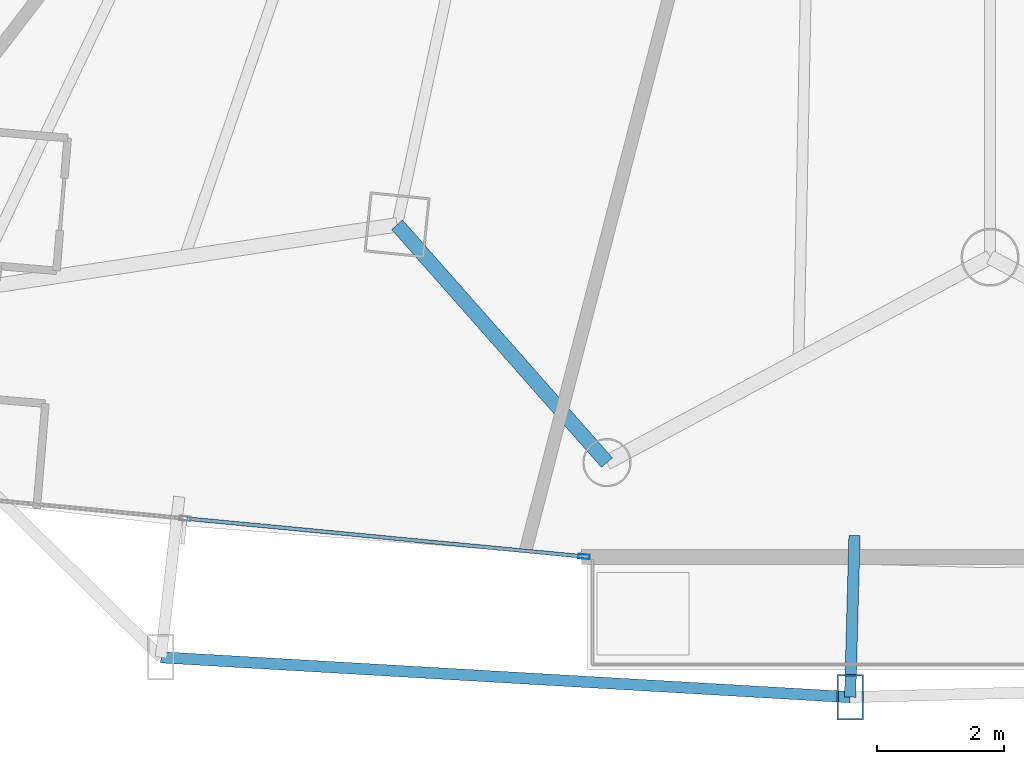
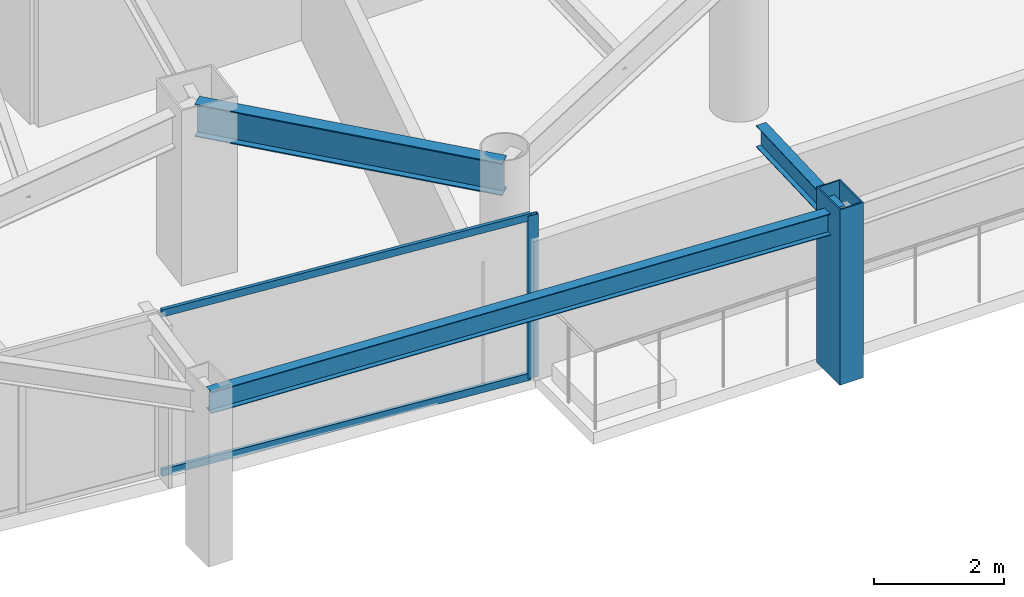
# One storey, part 6 of 34: 4 members, 3 beams, 1 element without a shape of its own.
"""IFC4 building model written with IfcOpenShell, lengths in metres."""

from ifc_helpers import new_model, si_unit, direction, frame, origin, origin_2d, place, context, subcontext, project, spatial, hollow_rectangle, i_section, extrude, material, layer, layer_set, material_profile, profile_set, type_object, element, aggregate, save


model = new_model("IFC4")

# Units and contexts
model_context = context("Model", 3, precision=1e-05, world=origin(), true_north=direction((0.0, 1.0)))
body_context = subcontext(model_context, "Body", "Model", "MODEL_VIEW")
ifc_project = project(units=[si_unit("LENGTHUNIT", "METRE"), si_unit("AREAUNIT", "SQUARE_METRE"), si_unit("VOLUMEUNIT", "CUBIC_METRE"), si_unit("PLANEANGLEUNIT", "RADIAN"), si_unit("MASSUNIT", "GRAM", prefix="KILO")], contexts=[model_context])

# Site, building, storey
site_placement = place(None, origin())
site = spatial("IfcSite", under=ifc_project, at=site_placement, CompositionType="ELEMENT")
building_placement = place(site_placement, origin())
building = spatial("IfcBuilding", under=site, at=building_placement, Name="Orvanel Arch Residences", CompositionType="ELEMENT")
storey_placement = place(building_placement, frame((0.0, 0.0, 77.449951171875)))
storey = spatial("IfcBuildingStorey", under=building, at=storey_placement, Name="L21", CompositionType="ELEMENT", Elevation=77.449951171875)

# Member
ifc_material_1 = material(Name="Structural steel AS/NZS 3678 Grade 350", Category="steel")
ifc_material_profile_1 = material_profile(ifc_material_1, hollow_rectangle(XDim=0.419921875, YDim=0.719970703125, WallThickness=0.02490234375, at=origin_2d()), Name="RHS720x420x25")
ifc_profile_set_1 = profile_set([ifc_material_profile_1], Name="Structural steel AS/NZS 3678 Grade 350")
member_type_1 = type_object("IfcMemberType", Name="CH-720RHS-EXT", PredefinedType="CHORD", material=ifc_profile_set_1)
member_1_placement = place(storey_placement, frame((30.79296875, -0.093994140625, 0.0), z_axis=(0.0, 0.0, 1.0), x_axis=(1.0, 0.0, 0.0)))
element("IfcMember", 1, at=member_1_placement, inside=storey, type_object=member_type_1, Name="L21 Outer Perimeter Frame Post 06", PredefinedType="CHORD", context=body_context, shape_type="SweptSolid", body=[
    extrude(hollow_rectangle(XDim=0.419921875, YDim=0.719970703125, WallThickness=0.02490234375, at=origin_2d()), origin(), (0.0, 0.0, 1.0), 3.300048828125),
])

# Curtain wall, member
ifc_material_2 = material(Name="Bronze-anodised aluminium AA6063-T6", Category="aluminium")
ifc_layer = layer(ifc_material_2, 0.179931640625)
ifc_layer_set = layer_set([ifc_layer], Name="Bronze-anodised aluminium AA6063-T6")
curtain_wall_type = type_object("IfcCurtainWallType", Name="CW2-LOW-SYS", PredefinedType="NOTDEFINED", material=ifc_layer_set)
curtain_wall_placement = place(storey_placement, origin())
curtain_wall = element("IfcCurtainWall", 2, at=curtain_wall_placement, inside=storey, type_object=curtain_wall_type, Name="L21 CW2-LOW-SYS Unitised Curtain Wall", PredefinedType="NOTDEFINED")
ifc_material_profile_2 = material_profile(ifc_material_2, hollow_rectangle(XDim=0.070068359375, YDim=0.179931640625, WallThickness=0.00439453125, at=origin_2d()), Name="ALU180x70x4.5")
ifc_profile_set_2 = profile_set([ifc_material_profile_2], Name="Bronze-anodised aluminium AA6063-T6")
member_type_2 = type_object("IfcMemberType", Name="MUL-180x70", PredefinedType="MULLION", material=ifc_profile_set_2)
member_2_placement = place(storey_placement, frame((26.59716796875, 2.123291015625, 0.0), z_axis=(0.0, 0.0, 1.0), x_axis=(0.095024396079, 0.995474944009, 0.0)))
member_2 = element("IfcMember", 3, at=member_2_placement, type_object=member_type_2, Name="CW-S2 mullion 3", PredefinedType="MULLION", context=body_context, shape_type="SweptSolid", body=[
    extrude(hollow_rectangle(XDim=0.070068359375, YDim=0.179931640625, WallThickness=0.00439453125, at=origin_2d()), origin(), (0.0, 0.0, 1.0), 3.06005859375),
])

# Beams
ifc_material_3 = material(Name="Structural steel AS/NZS 3679.1 Grade 300 (300 MPa)", Category="steel")
ifc_material_profile_3 = material_profile(ifc_material_3, i_section(OverallWidth=0.177978515625, OverallDepth=0.406005859375, WebThickness=0.0078125, FlangeThickness=0.0126953125, at=origin_2d()), Name="410UB59.7")
ifc_profile_set_3 = profile_set([ifc_material_profile_3], Name="Structural steel AS/NZS 3679.1 Grade 300 (300 MPa)")
beam_type_1 = type_object("IfcBeamType", Name="OB-410UB-EXT", PredefinedType="SPANDREL", material=ifc_profile_set_3)
beam_1_placement = place(storey_placement, frame((19.924072265625, 0.533935546875, 2.85693359375), z_axis=(0.998335301365, -0.057676910872, 0.0), x_axis=(0.057676910872, 0.998335301365, 0.0)))
element("IfcBeam", 4, at=beam_1_placement, inside=storey, type_object=beam_type_1, Name="L21 Outer Perimeter Floor Ring Beam 05", PredefinedType="SPANDREL", context=body_context, shape_type="SweptSolid", body=[
    extrude(i_section(OverallWidth=0.177978515625, OverallDepth=0.406005859375, WebThickness=0.0078125, FlangeThickness=0.0126953125, at=origin_2d()), origin(), (0.0, 0.0, 1.0), 10.886962890625),
])
beam_2_placement = place(storey_placement, frame((30.862060546875, 2.455078125, 2.85693359375), z_axis=(-0.027094732526, -0.999632870343, 0.0), x_axis=(0.999632870343, -0.027094732526, 0.0)))
element("IfcBeam", 5, at=beam_2_placement, inside=storey, type_object=beam_type_1, Name="L21 Outer Frame Radial Tie Beam 06", PredefinedType="SPANDREL", context=body_context, shape_type="SweptSolid", body=[
    extrude(i_section(OverallWidth=0.177978515625, OverallDepth=0.406005859375, WebThickness=0.0078125, FlangeThickness=0.0126953125, at=origin_2d()), origin(), (0.0, 0.0, 1.0), 2.550048828125),
])
ifc_material_profile_4 = material_profile(ifc_material_3, i_section(OverallWidth=0.22900390625, OverallDepth=0.612060546875, WebThickness=0.011962890625, FlangeThickness=0.01953125, at=origin_2d()), Name="610UB125")
ifc_profile_set_4 = profile_set([ifc_material_profile_4], Name="Structural steel AS/NZS 3679.1 Grade 300 (300 MPa)")
beam_type_2 = type_object("IfcBeamType", Name="SP-610UB", PredefinedType="SPANDREL", material=ifc_profile_set_4)
beam_3_placement = place(storey_placement, frame((23.64892578125, 7.35498046875, 2.754150390625), z_axis=(0.661650698195, -0.749812212209, 0.0), x_axis=(0.749812212209, 0.661650698195, 0.0)))
element("IfcBeam", 6, at=beam_3_placement, inside=storey, type_object=beam_type_2, Name="L21 Perimeter Spandrel Beam 05", PredefinedType="SPANDREL", context=body_context, shape_type="SweptSolid", body=[
    extrude(i_section(OverallWidth=0.22900390625, OverallDepth=0.612060546875, WebThickness=0.011962890625, FlangeThickness=0.01953125, at=origin_2d()), origin(), (0.0, 0.0, 1.0), 5.001220703125),
])

# Member
ifc_material_profile_5 = material_profile(ifc_material_2, hollow_rectangle(XDim=0.06005859375, YDim=0.135009765625, WallThickness=0.00390625, at=origin_2d()), Name="ALU135x60x4")
ifc_profile_set_5 = profile_set([ifc_material_profile_5], Name="Bronze-anodised aluminium AA6063-T6")
member_type_3 = type_object("IfcMemberType", Name="TRN-135x60", PredefinedType="USERDEFINED", material=ifc_profile_set_5)
member_3_placement = place(storey_placement, frame((20.33935546875, 2.720703125, 0.030029296875), z_axis=(0.995475264252, -0.095021041152, 0.0), x_axis=(0.095021041152, 0.995475264252, 0.0)))
member_3 = element("IfcMember", 7, at=member_3_placement, type_object=member_type_3, Name="CW-S2 transom 2.1", ObjectType="TRANSOM", PredefinedType="USERDEFINED", context=body_context, shape_type="SweptSolid", body=[
    extrude(hollow_rectangle(XDim=0.06005859375, YDim=0.135009765625, WallThickness=0.00390625, at=origin_2d()), origin(), (0.0, 0.0, 1.0), 6.251220703125),
])

member_4_placement = place(storey_placement, frame((20.33935546875, 2.720703125, 3.030029296875), z_axis=(0.995475264252, -0.095021041152, 0.0), x_axis=(0.095021041152, 0.995475264252, 0.0)))
member_4 = element("IfcMember", 8, at=member_4_placement, type_object=member_type_3, Name="CW-S2 transom 2.2", ObjectType="TRANSOM", PredefinedType="USERDEFINED", context=body_context, shape_type="SweptSolid", body=[
    extrude(hollow_rectangle(XDim=0.06005859375, YDim=0.135009765625, WallThickness=0.00390625, at=origin_2d()), origin(), (0.0, 0.0, 1.0), 6.251220703125),
])

aggregate(curtain_wall, [member_2, member_3, member_4])

save(model, "model.ifc")
